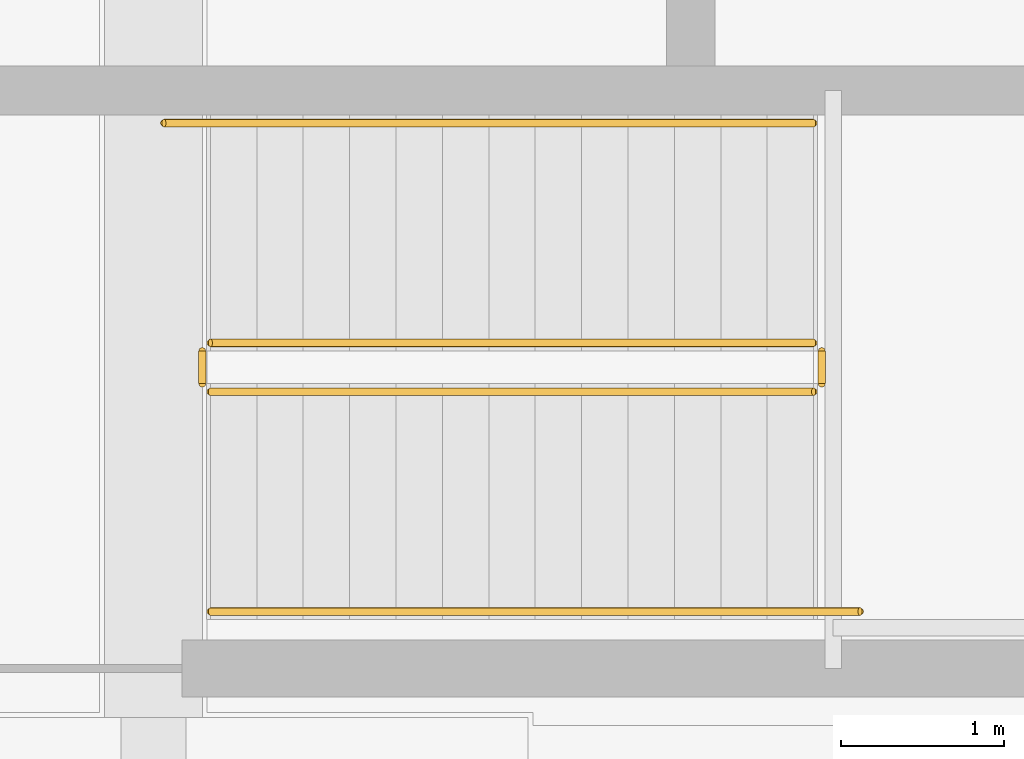
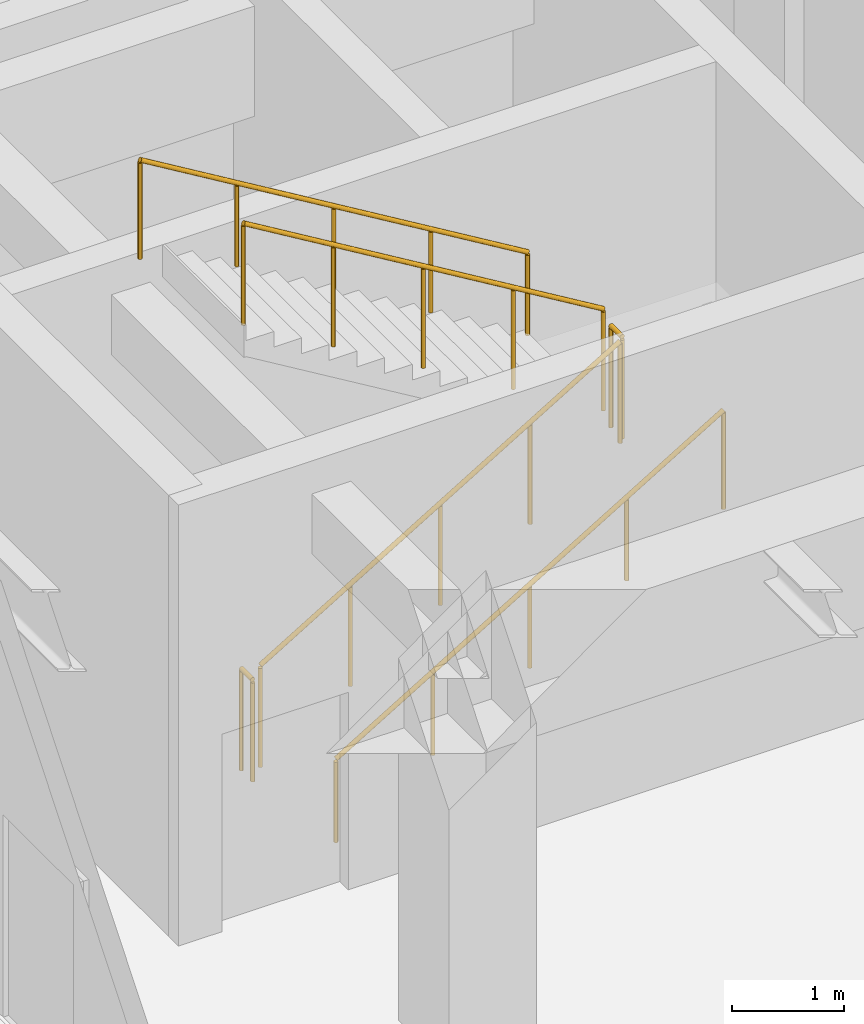
# One storey, part 51 of 59: 6 railings.
"""IFC4 building model written with IfcOpenShell, lengths in metres."""

from ifc_helpers import new_model, si_unit, direction, frame, origin, origin_2d, place, context, subcontext, project, spatial, circle, extrude, material, layer, layer_set, type_object, element, save


model = new_model("IFC4")

# Units and contexts
model_context = context("Model", 3, precision=1e-05, world=origin(), true_north=direction((0.0, 1.0)))
body_context = subcontext(model_context, "Body", "Model", "MODEL_VIEW")
ifc_project = project(units=[si_unit("LENGTHUNIT", "METRE"), si_unit("AREAUNIT", "SQUARE_METRE"), si_unit("VOLUMEUNIT", "CUBIC_METRE"), si_unit("PLANEANGLEUNIT", "RADIAN"), si_unit("MASSUNIT", "GRAM", prefix="KILO")], contexts=[model_context])

# Site, building, storey
site_placement = place(None, origin())
site = spatial("IfcSite", under=ifc_project, at=site_placement, CompositionType="ELEMENT")
building_placement = place(site_placement, origin())
building = spatial("IfcBuilding", under=site, at=building_placement, Name="Montealbar Specialist Clinic", CompositionType="ELEMENT")
storey_placement = place(building_placement, frame((0.0, 0.0, -4.800048828125)))
storey = spatial("IfcBuildingStorey", under=building, at=storey_placement, Name="B01", CompositionType="ELEMENT", Elevation=-4.800048828125)

# Railings
ifc_material = material(Name="Steel S355", Category="steel")
ifc_layer_1 = layer(ifc_material, 0.050048828125, Name="Steel S355", Category="steel")
ifc_layer_set_1 = layer_set([ifc_layer_1], Name="Steel S355")
railing_type_1 = type_object("IfcRailingType", Name="RAIL-STAIR-BAL-1100", PredefinedType="BALUSTRADE", material=ifc_layer_set_1)
railing_1_placement = place(storey_placement, frame((9.35009765625, 56.5, 0.17138671875)))
element("IfcRailing", 1, at=railing_1_placement, inside=storey, type_object=railing_type_1, Name="B01 ST-01 stair guard 1", PredefinedType="BALUSTRADE", context=body_context, shape_type="SweptSolid", body=[
    extrude(circle(Radius=0.02392578125, at=origin_2d()), frame((0.0, 0.0, 1.076171875), z_axis=(0.856894455432, 0.0, 0.515491893485), x_axis=(0.0, 1.0, 0.0)), (0.0, 0.0, 1.0), 4.323486328125),
    extrude(circle(Radius=0.02099609375, at=origin_2d()), frame((0.0, 0.0, -0.02490234375)), (0.0, 0.0, 1.0), 1.076904296875),
    extrude(circle(Radius=0.02099609375, at=origin_2d()), frame((0.92626953125, 0.0, 0.5322265625)), (0.0, 0.0, 1.0), 1.076904296875),
    extrude(circle(Radius=0.02099609375, at=origin_2d()), frame((1.8525390625, 0.0, 1.08935546875)), (0.0, 0.0, 1.0), 1.076904296875),
    extrude(circle(Radius=0.02099609375, at=origin_2d()), frame((2.778564453125, 0.0, 1.646484375)), (0.0, 0.0, 1.0), 1.076904296875),
    extrude(circle(Radius=0.02099609375, at=origin_2d()), frame((3.704833984375, 0.0, 2.203857421875)), (0.0, 0.0, 1.0), 1.076904296875),
])
railing_2_placement = place(storey_placement, frame((13.10498046875, 56.550048828125, 2.400146484375)))
element("IfcRailing", 2, at=railing_2_placement, inside=storey, type_object=railing_type_1, Name="B01 ST-01 stair guard 2", PredefinedType="BALUSTRADE", context=body_context, shape_type="SweptSolid", body=[
    extrude(circle(Radius=0.02392578125, at=origin_2d()), frame((0.0, 0.0, 1.076171875), z_axis=(0.0, 1.0, 0.0), x_axis=(-1.0, 0.0, 0.0)), (0.0, 0.0, 1.0), 0.199951171875),
    extrude(circle(Radius=0.02099609375, at=origin_2d()), frame((0.0, 0.0, -0.02490234375)), (0.0, 0.0, 1.0), 1.076904296875),
    extrude(circle(Radius=0.02099609375, at=origin_2d()), frame((0.0, 0.199951171875, -0.02490234375)), (0.0, 0.0, 1.0), 1.076904296875),
])
railing_3_placement = place(storey_placement, frame((13.054931640625, 56.800048828125, 2.571533203125)))
element("IfcRailing", 3, at=railing_3_placement, inside=storey, type_object=railing_type_1, Name="B01 ST-01 stair guard 3", PredefinedType="BALUSTRADE", context=body_context, shape_type="SweptSolid", body=[
    extrude(circle(Radius=0.02392578125, at=origin_2d()), frame((0.0, 0.0, 1.076171875), z_axis=(-0.856919398105, 0.0, 0.515450429384), x_axis=(0.0, -1.0, 0.0)), (0.0, 0.0, 1.0), 4.323486328125),
    extrude(circle(Radius=0.02099609375, at=origin_2d()), frame((0.0, 0.0, -0.02490234375)), (0.0, 0.0, 1.0), 1.076904296875),
    extrude(circle(Radius=0.02099609375, at=origin_2d()), frame((-0.92626953125, 0.0, 0.5322265625)), (0.0, 0.0, 1.0), 1.076904296875),
    extrude(circle(Radius=0.02099609375, at=origin_2d()), frame((-1.8525390625, 0.0, 1.08935546875)), (0.0, 0.0, 1.0), 1.076904296875),
    extrude(circle(Radius=0.02099609375, at=origin_2d()), frame((-2.778564453125, 0.0, 1.646484375)), (0.0, 0.0, 1.0), 1.076904296875),
    extrude(circle(Radius=0.02099609375, at=origin_2d()), frame((-3.704833984375, 0.0, 2.20361328125)), (0.0, 0.0, 1.0), 1.076904296875),
])
railing_4_placement = place(storey_placement, frame((9.300048828125, 56.550048828125, 0.0)))
element("IfcRailing", 4, at=railing_4_placement, inside=storey, type_object=railing_type_1, Name="B01 ST-01 stair guard 4", PredefinedType="BALUSTRADE", context=body_context, shape_type="SweptSolid", body=[
    extrude(circle(Radius=0.02392578125, at=origin_2d()), frame((0.0, 0.0, 1.076171875), z_axis=(0.0, 1.0, 0.0), x_axis=(-1.0, 0.0, 0.0)), (0.0, 0.0, 1.0), 0.199951171875),
    extrude(circle(Radius=0.02099609375, at=origin_2d()), frame((0.0, 0.0, -0.02490234375)), (0.0, 0.0, 1.0), 1.076904296875),
    extrude(circle(Radius=0.02099609375, at=origin_2d()), frame((0.0, 0.199951171875, -0.02490234375)), (0.0, 0.0, 1.0), 1.076904296875),
])
ifc_layer_2 = layer(ifc_material, 0.044921875, Name="Steel S355", Category="steel")
ifc_layer_set_2 = layer_set([ifc_layer_2], Name="Steel S355")
railing_type_2 = type_object("IfcRailingType", Name="RAIL-STAIR-HR-900", PredefinedType="HANDRAIL", material=ifc_layer_set_2)
railing_5_placement = place(storey_placement, frame((9.35009765625, 55.14990234375, 0.17138671875)))
element("IfcRailing", 5, at=railing_5_placement, inside=storey, type_object=railing_type_2, Name="B01 ST-01 stair handrail 1", PredefinedType="HANDRAIL", context=body_context, shape_type="SweptSolid", body=[
    extrude(circle(Radius=0.02392578125, at=origin_2d()), frame((0.0, 0.0, 0.8759765625), z_axis=(0.856909445827, 0.0, 0.515466974357), x_axis=(0.0, 1.0, 0.0)), (0.0, 0.0, 1.0), 4.65625),
    extrude(circle(Radius=0.02099609375, at=origin_2d()), frame((0.0, 0.0, -0.02490234375)), (0.0, 0.0, 1.0), 0.876708984375),
    extrude(circle(Radius=0.02099609375, at=origin_2d()), frame((0.99755859375, 0.0, 0.574951171875)), (0.0, 0.0, 1.0), 0.876708984375),
    extrude(circle(Radius=0.02099609375, at=origin_2d()), frame((1.9951171875, 0.0, 1.175048828125)), (0.0, 0.0, 1.0), 0.876708984375),
    extrude(circle(Radius=0.02099609375, at=origin_2d()), frame((2.992431640625, 0.0, 1.775146484375)), (0.0, 0.0, 1.0), 0.876708984375),
    extrude(circle(Radius=0.02099609375, at=origin_2d()), frame((3.989990234375, 0.0, 2.203857421875)), (0.0, 0.0, 1.0), 1.048095703125),
])
railing_6_placement = place(storey_placement, frame((13.054931640625, 58.14990234375, 2.571533203125)))
element("IfcRailing", 6, at=railing_6_placement, inside=storey, type_object=railing_type_2, Name="B01 ST-01 stair handrail 2", PredefinedType="HANDRAIL", context=body_context, shape_type="SweptSolid", body=[
    extrude(circle(Radius=0.02392578125, at=origin_2d()), frame((0.0, 0.0, 0.8759765625), z_axis=(-0.856932605607, 0.0, 0.515428471708), x_axis=(0.0, -1.0, 0.0)), (0.0, 0.0, 1.0), 4.65625),
    extrude(circle(Radius=0.02099609375, at=origin_2d()), frame((0.0, 0.0, -0.02490234375)), (0.0, 0.0, 1.0), 0.876708984375),
    extrude(circle(Radius=0.02099609375, at=origin_2d()), frame((-0.99755859375, 0.0, 0.574951171875)), (0.0, 0.0, 1.0), 0.876708984375),
    extrude(circle(Radius=0.02099609375, at=origin_2d()), frame((-1.9951171875, 0.0, 1.175048828125)), (0.0, 0.0, 1.0), 0.876708984375),
    extrude(circle(Radius=0.02099609375, at=origin_2d()), frame((-2.992431640625, 0.0, 1.77490234375)), (0.0, 0.0, 1.0), 0.876708984375),
    extrude(circle(Radius=0.02099609375, at=origin_2d()), frame((-3.989990234375, 0.0, 2.20361328125)), (0.0, 0.0, 1.0), 1.048095703125),
])

save(model, "model.ifc")
